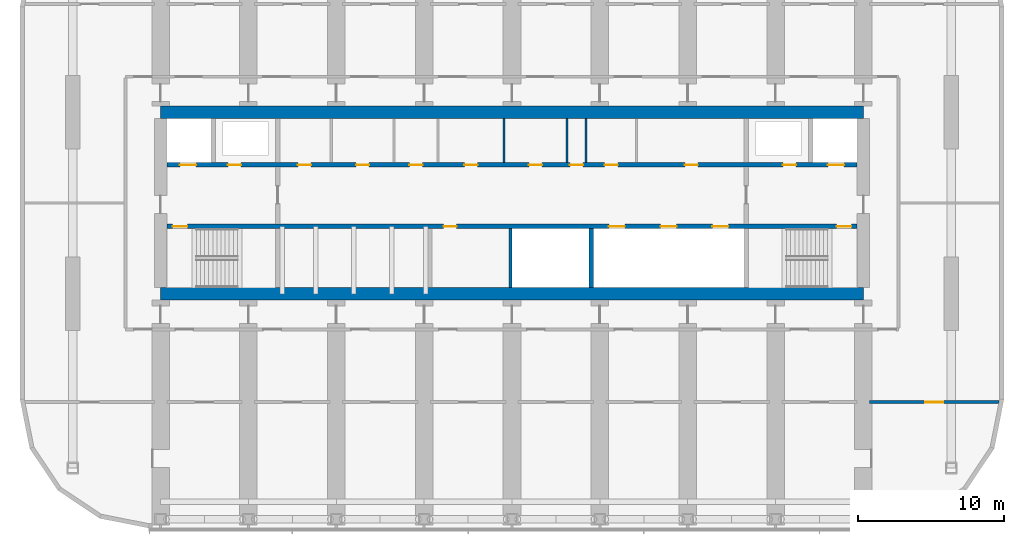
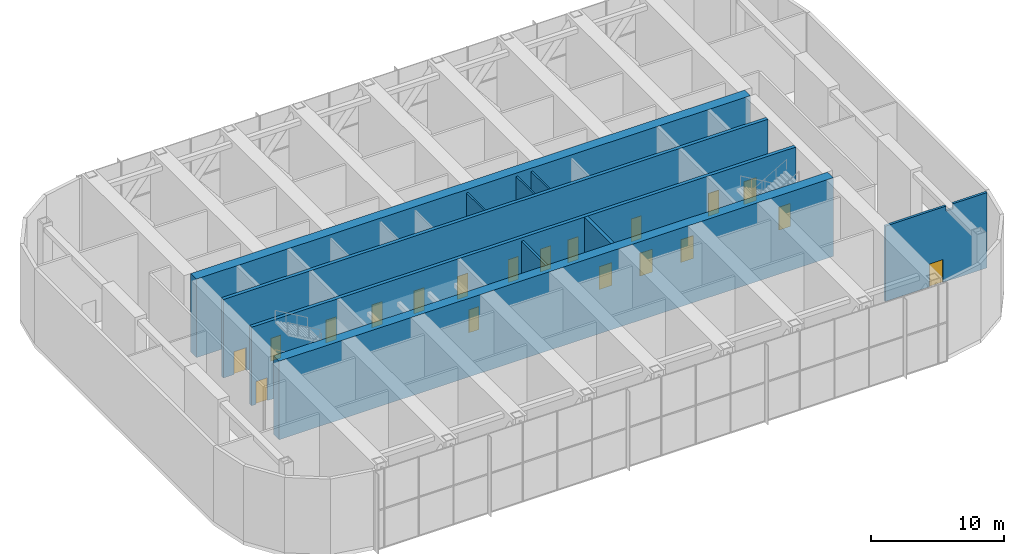
# One storey, part 10 of 22: 19 doors, 10 walls, 19 openings.
"""IFC4 building model written with IfcOpenShell, lengths in metres."""

from ifc_helpers import new_model, si_unit, direction, frame, frame_2d, origin, place, context, subcontext, project, spatial, polyline, rectangle, outline, extrude, clip, halfspace, material, layer, layer_set, type_object, element, fill, save


model = new_model("IFC4")

# Units and contexts
model_context = context("Model", 3, precision=1e-05, world=origin(), true_north=direction((0.0, 1.0)))
body_context = subcontext(model_context, "Body", "Model", "MODEL_VIEW")
ifc_project = project(units=[si_unit("LENGTHUNIT", "METRE"), si_unit("AREAUNIT", "SQUARE_METRE"), si_unit("VOLUMEUNIT", "CUBIC_METRE"), si_unit("PLANEANGLEUNIT", "RADIAN"), si_unit("MASSUNIT", "GRAM", prefix="KILO")], contexts=[model_context])

# Site, building, storey
site_placement = place(None, origin())
site = spatial("IfcSite", under=ifc_project, at=site_placement, CompositionType="ELEMENT")
building_placement = place(site_placement, origin())
building = spatial("IfcBuilding", under=site, at=building_placement, Name="Orbita Commons", CompositionType="ELEMENT")
storey_placement = place(building_placement, frame((0.0, 0.0, 201.10009765625)))
storey = spatial("IfcBuildingStorey", under=building, at=storey_placement, Name="L50", CompositionType="ELEMENT", Elevation=201.10009765625)

# Wall, openings, doors
ifc_material_1 = material(Name="Concrete C50/60", Category="concrete")
ifc_layer_1 = layer(ifc_material_1, 0.300048828125)
ifc_layer_set_1 = layer_set([ifc_layer_1], Name="Concrete C50/60")
wall_type_1 = type_object("IfcWallType", Name="Core inner wall 300 C50/60", PredefinedType="SHEAR", material=ifc_layer_set_1)
wall_1_placement = place(storey_placement, frame((18.425048828125, 30.39990234375, 0.0), z_axis=(0.0, 0.0, 1.0), x_axis=(1.0, 0.0, 0.0)))
wall_1 = element("IfcWall", 1, at=wall_1_placement, inside=storey, type_object=wall_type_1, Name="Lobby wall south L50", PredefinedType="SHEAR", context=body_context, shape_type="SweptSolid", body=[
    extrude(rectangle(XDim=47.14990234375, YDim=0.300048828125, at=frame_2d((23.574951171875, 0.0))), origin(), (0.0, 0.0, 1.0), 7.199951171875),
])
opening_1_placement = place(wall_1_placement, frame((0.39990234375, 0.0, 0.0)))
opening_1 = element("IfcOpeningElement", 2, at=opening_1_placement, cuts=wall_1, Name="Opening D02", PredefinedType="OPENING", context=body_context, shape_type="SweptSolid", body=[
    extrude(rectangle(XDim=1.0, YDim=2.10009765625, at=frame_2d((0.5, 1.050048828125))), frame((0.0, 0.159912109375, 0.0), z_axis=(0.0, -1.0, 0.0), x_axis=(1.0, 0.0, 0.0)), (0.0, 0.0, 1.0), 0.320068359375),
])
opening_2_placement = place(wall_1_placement, frame((45.75, 0.0, 0.0)))
opening_2 = element("IfcOpeningElement", 3, at=opening_2_placement, cuts=wall_1, Name="Opening D02", PredefinedType="OPENING", context=body_context, shape_type="SweptSolid", body=[
    extrude(rectangle(XDim=1.0, YDim=2.10009765625, at=frame_2d((0.5, 1.050048828125))), frame((0.0, 0.159912109375, 0.0), z_axis=(0.0, -1.0, 0.0), x_axis=(1.0, 0.0, 0.0)), (0.0, 0.0, 1.0), 0.320068359375),
])
opening_3_placement = place(wall_1_placement, frame((18.89990234375, 0.0, 0.0)))
opening_3 = element("IfcOpeningElement", 4, at=opening_3_placement, cuts=wall_1, Name="Opening D05", PredefinedType="OPENING", context=body_context, shape_type="SweptSolid", body=[
    extrude(rectangle(XDim=0.89990234375, YDim=2.10009765625, at=frame_2d((0.449951171875, 1.050048828125))), frame((0.0, 0.159912109375, 0.0), z_axis=(0.0, -1.0, 0.0), x_axis=(1.0, 0.0, 0.0)), (0.0, 0.0, 1.0), 0.320068359375),
])
opening_4_placement = place(wall_1_placement, frame((30.191650390625, 0.0, 0.0)))
opening_4 = element("IfcOpeningElement", 5, at=opening_4_placement, cuts=wall_1, Name="Opening LD02", PredefinedType="OPENING", context=body_context, shape_type="SweptSolid", body=[
    extrude(rectangle(XDim=1.10009765625, YDim=2.10009765625, at=frame_2d((0.550048828125, 1.050048828125))), frame((0.0, 0.159912109375, 0.0), z_axis=(0.0, -1.0, 0.0), x_axis=(1.0, 0.0, 0.0)), (0.0, 0.0, 1.0), 0.320068359375),
])
opening_5_placement = place(wall_1_placement, frame((33.72509765625, 0.0, 0.0)))
opening_5 = element("IfcOpeningElement", 6, at=opening_5_placement, cuts=wall_1, Name="Opening LD02", PredefinedType="OPENING", context=body_context, shape_type="SweptSolid", body=[
    extrude(rectangle(XDim=1.10009765625, YDim=2.10009765625, at=frame_2d((0.550048828125, 1.050048828125))), frame((0.0, 0.159912109375, 0.0), z_axis=(0.0, -1.0, 0.0), x_axis=(1.0, 0.0, 0.0)), (0.0, 0.0, 1.0), 0.320068359375),
])
opening_6_placement = place(wall_1_placement, frame((37.25830078125, 0.0, 0.0)))
opening_6 = element("IfcOpeningElement", 7, at=opening_6_placement, cuts=wall_1, Name="Opening LD02", PredefinedType="OPENING", context=body_context, shape_type="SweptSolid", body=[
    extrude(rectangle(XDim=1.10009765625, YDim=2.10009765625, at=frame_2d((0.550048828125, 1.050048828125))), frame((0.0, 0.159912109375, 0.0), z_axis=(0.0, -1.0, 0.0), x_axis=(1.0, 0.0, 0.0)), (0.0, 0.0, 1.0), 0.320068359375),
])
ifc_material_2 = material(Name="Steel-faced fire door leaf", Category="steel")
door_type_1 = type_object("IfcDoorType", Name="Fire door 90 min 1000x2100", OperationType="SINGLE_SWING_LEFT", PredefinedType="DOOR", material=ifc_material_2)
door_1_placement = place(opening_1_placement, origin())
door_1 = element("IfcDoor", 8, at=door_1_placement, inside=storey, type_object=door_type_1, Name="Stair S1 door", OperationType="SINGLE_SWING_LEFT", OverallHeight=2.10009765625, OverallWidth=1.0, PredefinedType="DOOR", context=body_context, shape_type="SweptSolid", body=[
    extrude(rectangle(XDim=1.0, YDim=2.10009765625, at=frame_2d((0.5, 1.050048828125))), frame((0.0, 0.02490234375, 0.0), z_axis=(0.0, -1.0, 0.0), x_axis=(1.0, 0.0, 0.0)), (0.0, 0.0, 1.0), 0.050048828125),
])
fill(opening_1, door_1)
door_2_placement = place(opening_2_placement, origin())
door_2 = element("IfcDoor", 9, at=door_2_placement, inside=storey, type_object=door_type_1, Name="Stair S2 door", OperationType="SINGLE_SWING_LEFT", OverallHeight=2.10009765625, OverallWidth=1.0, PredefinedType="DOOR", context=body_context, shape_type="SweptSolid", body=[
    extrude(rectangle(XDim=1.0, YDim=2.10009765625, at=frame_2d((0.5, 1.050048828125))), frame((0.0, 0.02490234375, 0.0), z_axis=(0.0, -1.0, 0.0), x_axis=(1.0, 0.0, 0.0)), (0.0, 0.0, 1.0), 0.050048828125),
])
fill(opening_2, door_2)
ifc_material_3 = material(Name="Steel-faced fire door leaf", Category="steel")
door_type_2 = type_object("IfcDoorType", Name="Lift landing door 1100x2100", OperationType="DOUBLE_DOOR_SLIDING", PredefinedType="DOOR", material=ifc_material_3)
door_3_placement = place(opening_4_placement, origin())
door_3 = element("IfcDoor", 10, at=door_3_placement, inside=storey, type_object=door_type_2, Name="Lift SV1 landing door", OperationType="DOUBLE_DOOR_SLIDING", OverallHeight=2.10009765625, OverallWidth=1.10009765625, PredefinedType="DOOR", context=body_context, shape_type="SweptSolid", body=[
    extrude(rectangle(XDim=1.10009765625, YDim=2.10009765625, at=frame_2d((0.550048828125, 1.050048828125))), frame((0.0, 0.02490234375, 0.0), z_axis=(0.0, -1.0, 0.0), x_axis=(1.0, 0.0, 0.0)), (0.0, 0.0, 1.0), 0.050048828125),
])
fill(opening_4, door_3)
door_4_placement = place(opening_5_placement, origin())
door_4 = element("IfcDoor", 11, at=door_4_placement, inside=storey, type_object=door_type_2, Name="Lift SV2 landing door", OperationType="DOUBLE_DOOR_SLIDING", OverallHeight=2.10009765625, OverallWidth=1.10009765625, PredefinedType="DOOR", context=body_context, shape_type="SweptSolid", body=[
    extrude(rectangle(XDim=1.10009765625, YDim=2.10009765625, at=frame_2d((0.550048828125, 1.050048828125))), frame((0.0, 0.02490234375, 0.0), z_axis=(0.0, -1.0, 0.0), x_axis=(1.0, 0.0, 0.0)), (0.0, 0.0, 1.0), 0.050048828125),
])
fill(opening_5, door_4)
door_5_placement = place(opening_6_placement, origin())
door_5 = element("IfcDoor", 12, at=door_5_placement, inside=storey, type_object=door_type_2, Name="Lift SV3 landing door", OperationType="DOUBLE_DOOR_SLIDING", OverallHeight=2.10009765625, OverallWidth=1.10009765625, PredefinedType="DOOR", context=body_context, shape_type="SweptSolid", body=[
    extrude(rectangle(XDim=1.10009765625, YDim=2.10009765625, at=frame_2d((0.550048828125, 1.050048828125))), frame((0.0, 0.02490234375, 0.0), z_axis=(0.0, -1.0, 0.0), x_axis=(1.0, 0.0, 0.0)), (0.0, 0.0, 1.0), 0.050048828125),
])
fill(opening_6, door_5)
ifc_material_4 = material(Name="Steel-faced fire door leaf", Category="steel")
door_type_3 = type_object("IfcDoorType", Name="Service door 20 min 900x2100", OperationType="SINGLE_SWING_LEFT", PredefinedType="DOOR", material=ifc_material_4)
door_6_placement = place(opening_3_placement, origin())
door_6 = element("IfcDoor", 13, at=door_6_placement, inside=storey, type_object=door_type_3, Name="IT room door", OperationType="SINGLE_SWING_LEFT", OverallHeight=2.10009765625, OverallWidth=0.89990234375, PredefinedType="DOOR", context=body_context, shape_type="SweptSolid", body=[
    extrude(rectangle(XDim=0.89990234375, YDim=2.10009765625, at=frame_2d((0.449951171875, 1.050048828125))), frame((0.0, 0.02490234375, 0.0), z_axis=(0.0, -1.0, 0.0), x_axis=(1.0, 0.0, 0.0)), (0.0, 0.0, 1.0), 0.050048828125),
])
fill(opening_3, door_6)

wall_2_placement = place(storey_placement, frame((18.425048828125, 34.60009765625, 0.0), z_axis=(0.0, 0.0, 1.0), x_axis=(1.0, 0.0, 0.0)))
wall_2 = element("IfcWall", 14, at=wall_2_placement, inside=storey, type_object=wall_type_1, Name="Lobby wall north L50", PredefinedType="SHEAR", context=body_context, shape_type="SweptSolid", body=[
    extrude(rectangle(XDim=47.14990234375, YDim=0.300048828125, at=frame_2d((23.574951171875, 0.0))), origin(), (0.0, 0.0, 1.0), 7.199951171875),
])
opening_7_placement = place(wall_2_placement, frame((0.89990234375, 0.0, 0.0)))
opening_7 = element("IfcOpeningElement", 15, at=opening_7_placement, cuts=wall_2, Name="Opening LD01", PredefinedType="OPENING", context=body_context, shape_type="SweptSolid", body=[
    extrude(rectangle(XDim=1.10009765625, YDim=2.10009765625, at=frame_2d((0.550048828125, 1.050048828125))), frame((0.0, 0.159912109375, 0.0), z_axis=(0.0, -1.0, 0.0), x_axis=(1.0, 0.0, 0.0)), (0.0, 0.0, 1.0), 0.320068359375),
])
opening_8_placement = place(wall_2_placement, frame((45.14990234375, 0.0, 0.0)))
opening_8 = element("IfcOpeningElement", 16, at=opening_8_placement, cuts=wall_2, Name="Opening LD01", PredefinedType="OPENING", context=body_context, shape_type="SweptSolid", body=[
    extrude(rectangle(XDim=1.10009765625, YDim=2.10009765625, at=frame_2d((0.550048828125, 1.050048828125))), frame((0.0, 0.159912109375, 0.0), z_axis=(0.0, -1.0, 0.0), x_axis=(1.0, 0.0, 0.0)), (0.0, 0.0, 1.0), 0.320068359375),
])
opening_9_placement = place(wall_2_placement, frame((4.175048828125, 0.0, 0.0)))
opening_9 = element("IfcOpeningElement", 17, at=opening_9_placement, cuts=wall_2, Name="Opening D03", PredefinedType="OPENING", context=body_context, shape_type="SweptSolid", body=[
    extrude(rectangle(XDim=0.89990234375, YDim=2.10009765625, at=frame_2d((0.449951171875, 1.050048828125))), frame((0.0, 0.159912109375, 0.0), z_axis=(0.0, -1.0, 0.0), x_axis=(1.0, 0.0, 0.0)), (0.0, 0.0, 1.0), 0.320068359375),
])
opening_10_placement = place(wall_2_placement, frame((42.074951171875, 0.0, 0.0)))
opening_10 = element("IfcOpeningElement", 18, at=opening_10_placement, cuts=wall_2, Name="Opening D03", PredefinedType="OPENING", context=body_context, shape_type="SweptSolid", body=[
    extrude(rectangle(XDim=0.89990234375, YDim=2.10009765625, at=frame_2d((0.449951171875, 1.050048828125))), frame((0.0, 0.159912109375, 0.0), z_axis=(0.0, -1.0, 0.0), x_axis=(1.0, 0.0, 0.0)), (0.0, 0.0, 1.0), 0.320068359375),
])
opening_11_placement = place(wall_2_placement, frame((8.950439453125, 0.0, 0.0)))
opening_11 = element("IfcOpeningElement", 19, at=opening_11_placement, cuts=wall_2, Name="Opening D05", PredefinedType="OPENING", context=body_context, shape_type="SweptSolid", body=[
    extrude(rectangle(XDim=0.89990234375, YDim=2.10009765625, at=frame_2d((0.449951171875, 1.050048828125))), frame((0.0, 0.159912109375, 0.0), z_axis=(0.0, -1.0, 0.0), x_axis=(1.0, 0.0, 0.0)), (0.0, 0.0, 1.0), 0.320068359375),
])
opening_12_placement = place(wall_2_placement, frame((12.923583984375, 0.0, 0.0)))
opening_12 = element("IfcOpeningElement", 20, at=opening_12_placement, cuts=wall_2, Name="Opening D03", PredefinedType="OPENING", context=body_context, shape_type="SweptSolid", body=[
    extrude(rectangle(XDim=0.89990234375, YDim=2.10009765625, at=frame_2d((0.449951171875, 1.050048828125))), frame((0.0, 0.159912109375, 0.0), z_axis=(0.0, -1.0, 0.0), x_axis=(1.0, 0.0, 0.0)), (0.0, 0.0, 1.0), 0.320068359375),
])
opening_13_placement = place(wall_2_placement, frame((16.5712890625, 0.0, 0.0)))
opening_13 = element("IfcOpeningElement", 21, at=opening_13_placement, cuts=wall_2, Name="Opening D03", PredefinedType="OPENING", context=body_context, shape_type="SweptSolid", body=[
    extrude(rectangle(XDim=0.89990234375, YDim=2.10009765625, at=frame_2d((0.449951171875, 1.050048828125))), frame((0.0, 0.159912109375, 0.0), z_axis=(0.0, -1.0, 0.0), x_axis=(1.0, 0.0, 0.0)), (0.0, 0.0, 1.0), 0.320068359375),
])
opening_14_placement = place(wall_2_placement, frame((20.32958984375, 0.0, 0.0)))
opening_14 = element("IfcOpeningElement", 22, at=opening_14_placement, cuts=wall_2, Name="Opening D05", PredefinedType="OPENING", context=body_context, shape_type="SweptSolid", body=[
    extrude(rectangle(XDim=0.89990234375, YDim=2.10009765625, at=frame_2d((0.449951171875, 1.050048828125))), frame((0.0, 0.159912109375, 0.0), z_axis=(0.0, -1.0, 0.0), x_axis=(1.0, 0.0, 0.0)), (0.0, 0.0, 1.0), 0.320068359375),
])
opening_15_placement = place(wall_2_placement, frame((24.735595703125, 0.0, 0.0)))
opening_15 = element("IfcOpeningElement", 23, at=opening_15_placement, cuts=wall_2, Name="Opening D03", PredefinedType="OPENING", context=body_context, shape_type="SweptSolid", body=[
    extrude(rectangle(XDim=0.89990234375, YDim=2.10009765625, at=frame_2d((0.449951171875, 1.050048828125))), frame((0.0, 0.159912109375, 0.0), z_axis=(0.0, -1.0, 0.0), x_axis=(1.0, 0.0, 0.0)), (0.0, 0.0, 1.0), 0.320068359375),
])
opening_16_placement = place(wall_2_placement, frame((27.533447265625, 0.0, 0.0)))
opening_16 = element("IfcOpeningElement", 24, at=opening_16_placement, cuts=wall_2, Name="Opening D03", PredefinedType="OPENING", context=body_context, shape_type="SweptSolid", body=[
    extrude(rectangle(XDim=0.89990234375, YDim=2.10009765625, at=frame_2d((0.449951171875, 1.050048828125))), frame((0.0, 0.159912109375, 0.0), z_axis=(0.0, -1.0, 0.0), x_axis=(1.0, 0.0, 0.0)), (0.0, 0.0, 1.0), 0.320068359375),
])
opening_17_placement = place(wall_2_placement, frame((29.90576171875, 0.0, 0.0)))
opening_17 = element("IfcOpeningElement", 25, at=opening_17_placement, cuts=wall_2, Name="Opening D05", PredefinedType="OPENING", context=body_context, shape_type="SweptSolid", body=[
    extrude(rectangle(XDim=0.89990234375, YDim=2.10009765625, at=frame_2d((0.449951171875, 1.050048828125))), frame((0.0, 0.159912109375, 0.0), z_axis=(0.0, -1.0, 0.0), x_axis=(1.0, 0.0, 0.0)), (0.0, 0.0, 1.0), 0.320068359375),
])
opening_18_placement = place(wall_2_placement, frame((35.37646484375, 0.0, 0.0)))
opening_18 = element("IfcOpeningElement", 26, at=opening_18_placement, cuts=wall_2, Name="Opening D03", PredefinedType="OPENING", context=body_context, shape_type="SweptSolid", body=[
    extrude(rectangle(XDim=0.89990234375, YDim=2.10009765625, at=frame_2d((0.449951171875, 1.050048828125))), frame((0.0, 0.159912109375, 0.0), z_axis=(0.0, -1.0, 0.0), x_axis=(1.0, 0.0, 0.0)), (0.0, 0.0, 1.0), 0.320068359375),
])
ifc_material_5 = material(Name="Steel-faced fire door leaf", Category="steel")
door_type_4 = type_object("IfcDoorType", Name="Firefighting lift landing door 1100x2100", OperationType="DOUBLE_DOOR_SLIDING", PredefinedType="DOOR", material=ifc_material_5)
door_7_placement = place(opening_7_placement, origin())
door_7 = element("IfcDoor", 27, at=door_7_placement, inside=storey, type_object=door_type_4, Name="Firefighting lift FL1 landing door", OperationType="DOUBLE_DOOR_SLIDING", OverallHeight=2.10009765625, OverallWidth=1.10009765625, PredefinedType="DOOR", context=body_context, shape_type="SweptSolid", body=[
    extrude(rectangle(XDim=1.10009765625, YDim=2.10009765625, at=frame_2d((0.550048828125, 1.050048828125))), frame((0.0, 0.02490234375, 0.0), z_axis=(0.0, -1.0, 0.0), x_axis=(1.0, 0.0, 0.0)), (0.0, 0.0, 1.0), 0.050048828125),
])
fill(opening_7, door_7)
door_8_placement = place(opening_8_placement, origin())
door_8 = element("IfcDoor", 28, at=door_8_placement, inside=storey, type_object=door_type_4, Name="Firefighting lift FL2 landing door", OperationType="DOUBLE_DOOR_SLIDING", OverallHeight=2.10009765625, OverallWidth=1.10009765625, PredefinedType="DOOR", context=body_context, shape_type="SweptSolid", body=[
    extrude(rectangle(XDim=1.10009765625, YDim=2.10009765625, at=frame_2d((0.550048828125, 1.050048828125))), frame((0.0, 0.02490234375, 0.0), z_axis=(0.0, -1.0, 0.0), x_axis=(1.0, 0.0, 0.0)), (0.0, 0.0, 1.0), 0.050048828125),
])
fill(opening_8, door_8)
door_9_placement = place(opening_11_placement, origin())
door_9 = element("IfcDoor", 29, at=door_9_placement, inside=storey, type_object=door_type_3, Name="Staff WC door", OperationType="SINGLE_SWING_LEFT", OverallHeight=2.10009765625, OverallWidth=0.89990234375, PredefinedType="DOOR", context=body_context, shape_type="SweptSolid", body=[
    extrude(rectangle(XDim=0.89990234375, YDim=2.10009765625, at=frame_2d((0.449951171875, 1.050048828125))), frame((0.0, 0.02490234375, 0.0), z_axis=(0.0, -1.0, 0.0), x_axis=(1.0, 0.0, 0.0)), (0.0, 0.0, 1.0), 0.050048828125),
])
fill(opening_11, door_9)
door_10_placement = place(opening_14_placement, origin())
door_10 = element("IfcDoor", 30, at=door_10_placement, inside=storey, type_object=door_type_3, Name="Vending and ice room door", OperationType="SINGLE_SWING_LEFT", OverallHeight=2.10009765625, OverallWidth=0.89990234375, PredefinedType="DOOR", context=body_context, shape_type="SweptSolid", body=[
    extrude(rectangle(XDim=0.89990234375, YDim=2.10009765625, at=frame_2d((0.449951171875, 1.050048828125))), frame((0.0, 0.02490234375, 0.0), z_axis=(0.0, -1.0, 0.0), x_axis=(1.0, 0.0, 0.0)), (0.0, 0.0, 1.0), 0.050048828125),
])
fill(opening_14, door_10)
door_11_placement = place(opening_17_placement, origin())
door_11 = element("IfcDoor", 31, at=door_11_placement, inside=storey, type_object=door_type_3, Name="Accessible WC door", OperationType="SINGLE_SWING_LEFT", OverallHeight=2.10009765625, OverallWidth=0.89990234375, PredefinedType="DOOR", context=body_context, shape_type="SweptSolid", body=[
    extrude(rectangle(XDim=0.89990234375, YDim=2.10009765625, at=frame_2d((0.449951171875, 1.050048828125))), frame((0.0, 0.02490234375, 0.0), z_axis=(0.0, -1.0, 0.0), x_axis=(1.0, 0.0, 0.0)), (0.0, 0.0, 1.0), 0.050048828125),
])
fill(opening_17, door_11)
ifc_material_6 = material(Name="Steel-faced fire door leaf", Category="steel")
door_type_5 = type_object("IfcDoorType", Name="Shaft access door 90 min 900x2100", OperationType="SINGLE_SWING_LEFT", PredefinedType="DOOR", material=ifc_material_6)
door_12_placement = place(opening_9_placement, origin())
door_12 = element("IfcDoor", 32, at=door_12_placement, inside=storey, type_object=door_type_5, Name="Riser door west", OperationType="SINGLE_SWING_LEFT", OverallHeight=2.10009765625, OverallWidth=0.89990234375, PredefinedType="DOOR", context=body_context, shape_type="SweptSolid", body=[
    extrude(rectangle(XDim=0.89990234375, YDim=2.10009765625, at=frame_2d((0.449951171875, 1.050048828125))), frame((0.0, 0.02490234375, 0.0), z_axis=(0.0, -1.0, 0.0), x_axis=(1.0, 0.0, 0.0)), (0.0, 0.0, 1.0), 0.050048828125),
])
fill(opening_9, door_12)
door_13_placement = place(opening_10_placement, origin())
door_13 = element("IfcDoor", 33, at=door_13_placement, inside=storey, type_object=door_type_5, Name="Riser door east", OperationType="SINGLE_SWING_LEFT", OverallHeight=2.10009765625, OverallWidth=0.89990234375, PredefinedType="DOOR", context=body_context, shape_type="SweptSolid", body=[
    extrude(rectangle(XDim=0.89990234375, YDim=2.10009765625, at=frame_2d((0.449951171875, 1.050048828125))), frame((0.0, 0.02490234375, 0.0), z_axis=(0.0, -1.0, 0.0), x_axis=(1.0, 0.0, 0.0)), (0.0, 0.0, 1.0), 0.050048828125),
])
fill(opening_10, door_13)
door_14_placement = place(opening_12_placement, origin())
door_14 = element("IfcDoor", 34, at=door_14_placement, inside=storey, type_object=door_type_5, Name="Refuse chute room door", OperationType="SINGLE_SWING_LEFT", OverallHeight=2.10009765625, OverallWidth=0.89990234375, PredefinedType="DOOR", context=body_context, shape_type="SweptSolid", body=[
    extrude(rectangle(XDim=0.89990234375, YDim=2.10009765625, at=frame_2d((0.449951171875, 1.050048828125))), frame((0.0, 0.02490234375, 0.0), z_axis=(0.0, -1.0, 0.0), x_axis=(1.0, 0.0, 0.0)), (0.0, 0.0, 1.0), 0.050048828125),
])
fill(opening_12, door_14)
door_15_placement = place(opening_13_placement, origin())
door_15 = element("IfcDoor", 35, at=door_15_placement, inside=storey, type_object=door_type_5, Name="Electrical riser room door", OperationType="SINGLE_SWING_LEFT", OverallHeight=2.10009765625, OverallWidth=0.89990234375, PredefinedType="DOOR", context=body_context, shape_type="SweptSolid", body=[
    extrude(rectangle(XDim=0.89990234375, YDim=2.10009765625, at=frame_2d((0.449951171875, 1.050048828125))), frame((0.0, 0.02490234375, 0.0), z_axis=(0.0, -1.0, 0.0), x_axis=(1.0, 0.0, 0.0)), (0.0, 0.0, 1.0), 0.050048828125),
])
fill(opening_13, door_15)
door_16_placement = place(opening_15_placement, origin())
door_16 = element("IfcDoor", 36, at=door_16_placement, inside=storey, type_object=door_type_5, Name="Communications room door", OperationType="SINGLE_SWING_LEFT", OverallHeight=2.10009765625, OverallWidth=0.89990234375, PredefinedType="DOOR", context=body_context, shape_type="SweptSolid", body=[
    extrude(rectangle(XDim=0.89990234375, YDim=2.10009765625, at=frame_2d((0.449951171875, 1.050048828125))), frame((0.0, 0.02490234375, 0.0), z_axis=(0.0, -1.0, 0.0), x_axis=(1.0, 0.0, 0.0)), (0.0, 0.0, 1.0), 0.050048828125),
])
fill(opening_15, door_16)
door_17_placement = place(opening_16_placement, origin())
door_17 = element("IfcDoor", 37, at=door_17_placement, inside=storey, type_object=door_type_5, Name="Stair pressurisation duct door", OperationType="SINGLE_SWING_LEFT", OverallHeight=2.10009765625, OverallWidth=0.89990234375, PredefinedType="DOOR", context=body_context, shape_type="SweptSolid", body=[
    extrude(rectangle(XDim=0.89990234375, YDim=2.10009765625, at=frame_2d((0.449951171875, 1.050048828125))), frame((0.0, 0.02490234375, 0.0), z_axis=(0.0, -1.0, 0.0), x_axis=(1.0, 0.0, 0.0)), (0.0, 0.0, 1.0), 0.050048828125),
])
fill(opening_16, door_17)
door_18_placement = place(opening_18_placement, origin())
door_18 = element("IfcDoor", 38, at=door_18_placement, inside=storey, type_object=door_type_5, Name="Linen and housekeeping store door", OperationType="SINGLE_SWING_LEFT", OverallHeight=2.10009765625, OverallWidth=0.89990234375, PredefinedType="DOOR", context=body_context, shape_type="SweptSolid", body=[
    extrude(rectangle(XDim=0.89990234375, YDim=2.10009765625, at=frame_2d((0.449951171875, 1.050048828125))), frame((0.0, 0.02490234375, 0.0), z_axis=(0.0, -1.0, 0.0), x_axis=(1.0, 0.0, 0.0)), (0.0, 0.0, 1.0), 0.050048828125),
])
fill(opening_18, door_18)

# Walls
wall_3_placement = place(storey_placement, frame((47.39990234375, 26.22509765625, 0.0), z_axis=(0.0, 0.0, 1.0), x_axis=(0.0, 1.0, 0.0)))
element("IfcWall", 39, at=wall_3_placement, inside=storey, type_object=wall_type_1, Name="Hoistway division wall L50", PredefinedType="SHEAR", context=body_context, shape_type="SweptSolid", body=[
    extrude(rectangle(XDim=4.02490234375, YDim=0.300048828125, at=frame_2d((2.012451171875, 0.0))), origin(), (0.0, 0.0, 1.0), 7.199951171875),
])
ifc_material_7 = material(Name="Concrete blockwork", Category="masonry")
ifc_layer_2 = layer(ifc_material_7, 0.14990234375)
ifc_layer_set_2 = layer_set([ifc_layer_2], Name="Concrete blockwork")
wall_type_2 = type_object("IfcWallType", Name="Core partition 150 blockwork", PredefinedType="SOLIDWALL", material=ifc_layer_set_2)
for number, where, z_axis, x_axis, name in (
    (40, (41.463134765625, 34.75, 0.0), (0.0, 0.0, 1.0), (0.0, 1.0, 0.0), "Core partition 150 blockwork L50"),
    (41, (45.75830078125, 34.75, 0.0), (0.0, 0.0, 1.0), (0.0, 1.0, 0.0), "Core partition 150 blockwork L50"),
    (42, (47.058349609375, 34.75, 0.0), (0.0, 0.0, 1.0), (0.0, 1.0, 0.0), "Core partition 150 blockwork L50"),
):
    element("IfcWall", number, at=place(storey_placement, frame(where, z_axis=z_axis, x_axis=x_axis)), inside=storey, type_object=wall_type_2, Name=name, PredefinedType="SOLIDWALL", context=body_context, shape_type="SweptSolid", body=[
        extrude(rectangle(XDim=3.02490234375, YDim=0.14990234375, at=frame_2d((1.512451171875, 0.0))), origin(), (0.0, 0.0, 1.0), 6.89990234375),
    ])
ifc_material_8 = material(Name="Concrete C50/60", Category="concrete")
ifc_layer_3 = layer(ifc_material_8, 0.85009765625)
ifc_layer_set_3 = layer_set([ifc_layer_3], Name="Concrete C50/60")
wall_type_3 = type_object("IfcWallType", Name="Core wall 850 C50/60", PredefinedType="SHEAR", material=ifc_layer_set_3)
for number, where, z_axis, x_axis, name in (
    (43, (18.0, 25.800048828125, 0.0), (0.0, 0.0, 1.0), (1.0, 0.0, 0.0), "Core spine wall south L50"),
    (44, (18.0, 38.199951171875, 0.0), (0.0, 0.0, 1.0), (1.0, 0.0, 0.0), "Core spine wall north L50"),
):
    element("IfcWall", number, at=place(storey_placement, frame(where, z_axis=z_axis, x_axis=x_axis)), inside=storey, type_object=wall_type_3, Name=name, PredefinedType="SHEAR", context=body_context, shape_type="SweptSolid", body=[
        extrude(rectangle(XDim=48.0, YDim=0.85009765625, at=frame_2d((24.0, 0.0))), origin(), (0.0, 0.0, 1.0), 7.199951171875),
    ])

# Wall, opening, door
ifc_material_9 = material(Name="Hollow concrete block 200", Category="concrete")
ifc_layer_4 = layer(ifc_material_9, 0.199951171875)
ifc_layer_set_4 = layer_set([ifc_layer_4], Name="Hollow concrete block 200")
wall_type_4 = type_object("IfcWallType", Name="Corridor wall 200 hollow concrete block", PredefinedType="SOLIDWALL", material=ifc_layer_set_4)
wall_4_placement = place(storey_placement, frame((66.425048828125, 18.39990234375, 0.0), z_axis=(0.0, 0.0, 1.0), x_axis=(1.0, 0.0, 0.0)))
wall_4 = element("IfcWall", 45, at=wall_4_placement, inside=storey, type_object=wall_type_4, Name="Corridor wall 200 hollow concrete block L50", PredefinedType="SOLIDWALL", context=body_context, shape_type="Clipping", body=[
    clip(clip(extrude(outline(polyline([(-0.02978515625, 0.0), (8.85693359375, 0.0), (8.85693359375, 6.89990234375), (5.876953125, 6.89990234375), (5.875, 6.449951171875), (5.277099609375, 6.449951171875), (5.27490234375, 6.89990234375), (-0.02978515625, 6.89990234375), (-0.02978515625, 0.0)])), frame((0.0, 0.10009765625, 0.0), z_axis=(0.0, -1.0, 0.0), x_axis=(1.0, 0.0, 0.0)), (0.0, 0.0, 1.0), 0.199951171875), halfspace(frame((0.0, 0.0, 0.0), z_axis=(-1.0, 0.0, 0.0)), False)), halfspace(frame((8.8271484375, 0.0, 0.0), z_axis=(0.980787601265, -0.195078653892, 0.0)), False)),
])
opening_19_placement = place(wall_4_placement, frame((3.81201171875, 0.0, 0.0)))
opening_19 = element("IfcOpeningElement", 46, at=opening_19_placement, cuts=wall_4, Name="Opening D01", PredefinedType="OPENING", context=body_context, shape_type="SweptSolid", body=[
    extrude(rectangle(XDim=1.199951171875, YDim=2.10009765625, at=frame_2d((0.60009765625, 1.050048828125))), frame((0.0, 0.10986328125, 0.0), z_axis=(0.0, -1.0, 0.0), x_axis=(1.0, 0.0, 0.0)), (0.0, 0.0, 1.0), 0.219970703125),
])
ifc_material_10 = material(Name="Steel-faced fire door leaf", Category="steel")
door_type_6 = type_object("IfcDoorType", Name="Fire door 90 min 1200x2100", OperationType="SINGLE_SWING_LEFT", PredefinedType="DOOR", material=ifc_material_10)
door_19_placement = place(opening_19_placement, origin())
door_19 = element("IfcDoor", 47, at=door_19_placement, inside=storey, type_object=door_type_6, Name="Refuge area door L50", OperationType="SINGLE_SWING_LEFT", OverallHeight=2.10009765625, OverallWidth=1.199951171875, PredefinedType="DOOR", context=body_context, shape_type="SweptSolid", body=[
    extrude(rectangle(XDim=1.199951171875, YDim=2.10009765625, at=frame_2d((0.60009765625, 1.050048828125))), frame((0.0, 0.02490234375, 0.0), z_axis=(0.0, -1.0, 0.0), x_axis=(1.0, 0.0, 0.0)), (0.0, 0.0, 1.0), 0.050048828125),
])
fill(opening_19, door_19)

# Wall
ifc_material_11 = material(Name="Concrete blockwork, fully filled", Category="masonry")
ifc_layer_5 = layer(ifc_material_11, 0.199951171875)
ifc_layer_set_5 = layer_set([ifc_layer_5], Name="Concrete blockwork, fully filled")
wall_type_5 = type_object("IfcWallType", Name="Shaft partition 200 blockwork", PredefinedType="SOLIDWALL", material=ifc_layer_set_5)
wall_5_placement = place(storey_placement, frame((41.89990234375, 26.22509765625, 0.0), z_axis=(0.0, 0.0, 1.0), x_axis=(0.0, 1.0, 0.0)))
element("IfcWall", 48, at=wall_5_placement, inside=storey, type_object=wall_type_5, Name="Shaft partition 200 blockwork L50", PredefinedType="SOLIDWALL", context=body_context, shape_type="SweptSolid", body=[
    extrude(rectangle(XDim=4.02490234375, YDim=0.199951171875, at=frame_2d((2.012451171875, 0.0))), origin(), (0.0, 0.0, 1.0), 6.89990234375),
])

save(model, "model.ifc")
